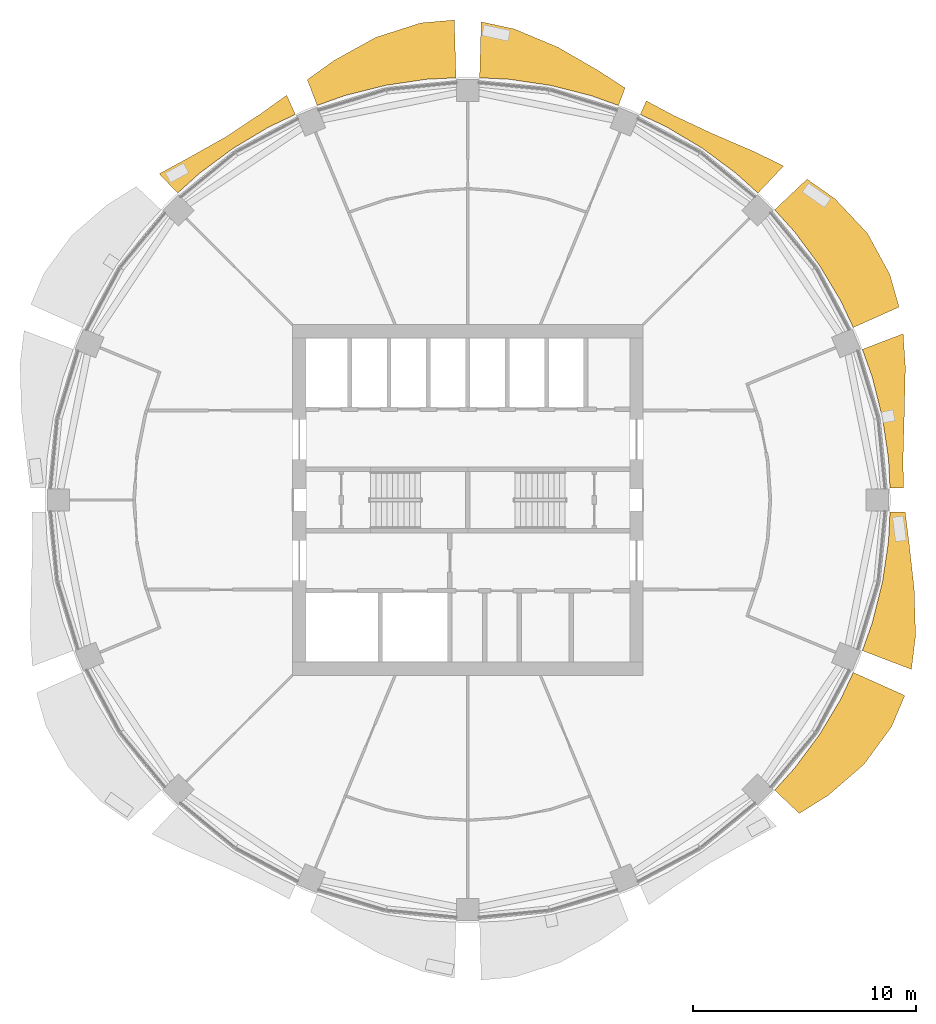
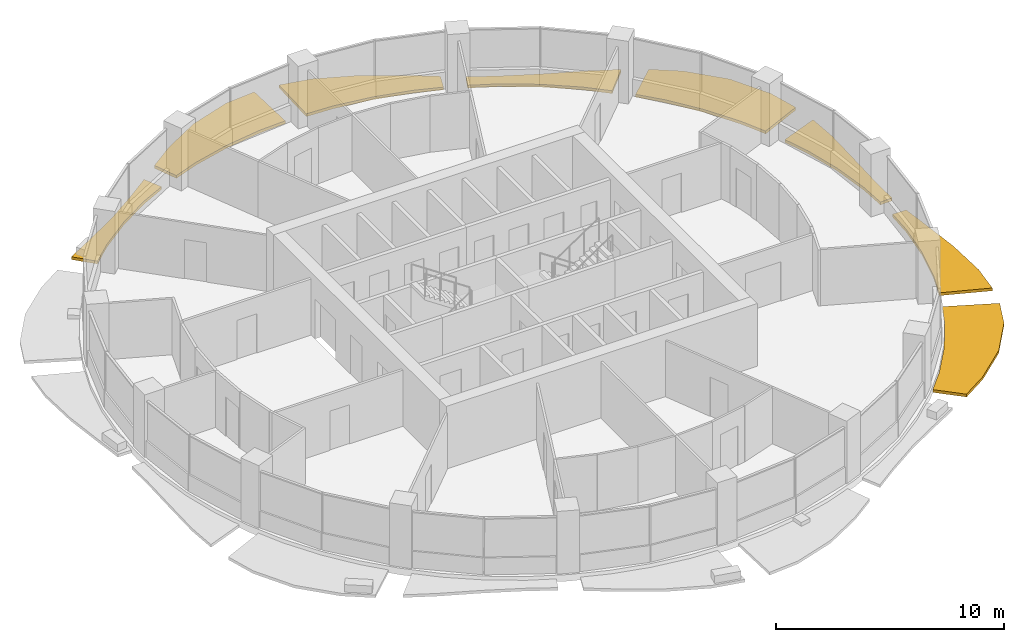
# One storey, part 14 of 15: 8 shading devices.
"""IFC4 building model written with IfcOpenShell, lengths in metres."""

from ifc_helpers import new_model, si_unit, direction, frame, origin, place, context, subcontext, project, spatial, polyline, outline, extrude, material, type_object, element, save


model = new_model("IFC4")

# Units and contexts
model_context = context("Model", 3, precision=1e-05, world=origin(), true_north=direction((0.0, 1.0)))
body_context = subcontext(model_context, "Body", "Model", "MODEL_VIEW")
ifc_project = project(units=[si_unit("LENGTHUNIT", "METRE"), si_unit("AREAUNIT", "SQUARE_METRE"), si_unit("VOLUMEUNIT", "CUBIC_METRE"), si_unit("PLANEANGLEUNIT", "RADIAN"), si_unit("MASSUNIT", "GRAM", prefix="KILO")], contexts=[model_context])

# Site, building, storey
site_placement = place(None, origin())
site = spatial("IfcSite", under=ifc_project, at=site_placement, CompositionType="ELEMENT")
building_placement = place(site_placement, origin())
building = spatial("IfcBuilding", under=site, at=building_placement, Name="Polderwave Tower", CompositionType="ELEMENT")
storey_placement = place(building_placement, frame((0.0, 0.0, 131.0)))
storey = spatial("IfcBuildingStorey", under=building, at=storey_placement, Name="L34", CompositionType="ELEMENT", Elevation=131.0)

# Shading devices
ifc_material = material(Name="Terracotta", Category="masonry")
shading_device_type = type_object("IfcShadingDeviceType", Name="Terracotta sunshade band", PredefinedType="USERDEFINED", material=ifc_material)
shading_device_1_placement = place(storey_placement, frame((0.0, 0.0, -0.35009765625)))
element("IfcShadingDevice", 1, at=shading_device_1_placement, inside=storey, type_object=shading_device_type, Name="Sunshade band L34 1", ObjectType="SUNSHADE", PredefinedType="USERDEFINED", context=body_context, shape_type="SweptSolid", body=[
    extrude(outline(polyline([(18.9541015625, 0.530029296875), (18.888671875, 1.8603515625), (18.615234375, 3.702880859375), (18.16259765625, 5.509521484375), (17.714111328125, 6.763671875), (19.547607421875, 7.4638671875), (19.64599609375, 5.959716796875), (19.599609375, 3.898681640625), (19.543701171875, 1.9248046875), (19.556884765625, 0.546875), (18.9541015625, 0.530029296875)])), origin(), (0.0, 0.0, 1.0), 0.150146484375),
])
shading_device_2_placement = place(storey_placement, frame((0.0, 0.0, -0.35009765625)))
element("IfcShadingDevice", 2, at=shading_device_2_placement, inside=storey, type_object=shading_device_type, Name="Sunshade band L34 2", ObjectType="SUNSHADE", PredefinedType="USERDEFINED", context=body_context, shape_type="SweptSolid", body=[
    extrude(outline(polyline([(17.308349609375, 7.7431640625), (16.739013671875, 8.947021484375), (15.78125, 10.544677734375), (14.671630859375, 12.040771484375), (13.77734375, 13.027587890625), (15.232177734375, 14.4033203125), (16.481689453125, 13.526123046875), (17.93408203125, 11.9833984375), (18.94677734375, 10.127197265625), (19.36181640625, 8.66162109375), (17.308349609375, 7.7431640625)])), origin(), (0.0, 0.0, 1.0), 0.150146484375),
])
shading_device_3_placement = place(storey_placement, frame((0.0, 0.0, -0.35009765625)))
element("IfcShadingDevice", 3, at=shading_device_3_placement, inside=storey, type_object=shading_device_type, Name="Sunshade band L34 3", ObjectType="SUNSHADE", PredefinedType="USERDEFINED", context=body_context, shape_type="SweptSolid", body=[
    extrude(outline(polyline([(13.027587890625, 13.77734375), (12.040771484375, 14.671630859375), (10.544677734375, 15.78125), (8.947021484375, 16.739013671875), (7.7431640625, 17.308349609375), (8.015869140625, 17.918212890625), (9.23046875, 17.26904296875), (10.98779296875, 16.444091796875), (12.842529296875, 15.648681640625), (14.180908203125, 14.996826171875), (13.027587890625, 13.77734375)])), origin(), (0.0, 0.0, 1.0), 0.150146484375),
])
shading_device_4_placement = place(storey_placement, frame((0.0, 0.0, -0.35009765625)))
element("IfcShadingDevice", 4, at=shading_device_4_placement, inside=storey, type_object=shading_device_type, Name="Sunshade band L34 4", ObjectType="SUNSHADE", PredefinedType="USERDEFINED", context=body_context, shape_type="SweptSolid", body=[
    extrude(outline(polyline([(6.763671875, 17.714111328125), (5.509521484375, 18.16259765625), (3.702880859375, 18.615234375), (1.8603515625, 18.888671875), (0.530029296875, 18.9541015625), (0.600341796875, 21.468505859375), (2.0830078125, 21.148681640625), (4.04345703125, 20.32763671875), (5.849609375, 19.283935546875), (7.063232421875, 18.498291015625), (6.763671875, 17.714111328125)])), origin(), (0.0, 0.0, 1.0), 0.150146484375),
])
shading_device_5_placement = place(storey_placement, frame((0.0, 0.0, -0.35009765625)))
element("IfcShadingDevice", 5, at=shading_device_5_placement, inside=storey, type_object=shading_device_type, Name="Sunshade band L34 5", ObjectType="SUNSHADE", PredefinedType="USERDEFINED", context=body_context, shape_type="SweptSolid", body=[
    extrude(outline(polyline([(-0.530029296875, 18.9541015625), (-1.8603515625, 18.888671875), (-3.702880859375, 18.615234375), (-5.509521484375, 18.16259765625), (-6.763671875, 17.714111328125), (-7.205078125, 18.869873046875), (-5.988525390625, 19.74169921875), (-4.13134765625, 20.76953125), (-2.109619140625, 21.418212890625), (-0.6025390625, 21.5498046875), (-0.530029296875, 18.9541015625)])), origin(), (0.0, 0.0, 1.0), 0.150146484375),
])
shading_device_6_placement = place(storey_placement, frame((0.0, 0.0, -0.35009765625)))
element("IfcShadingDevice", 6, at=shading_device_6_placement, inside=storey, type_object=shading_device_type, Name="Sunshade band L34 6", ObjectType="SUNSHADE", PredefinedType="USERDEFINED", context=body_context, shape_type="SweptSolid", body=[
    extrude(outline(polyline([(-7.7431640625, 17.308349609375), (-8.947021484375, 16.739013671875), (-10.544677734375, 15.78125), (-12.040771484375, 14.671630859375), (-13.027587890625, 13.77734375), (-13.8505859375, 14.6474609375), (-12.58544921875, 15.335205078125), (-10.884033203125, 16.2890625), (-9.275390625, 17.35302734375), (-8.131103515625, 18.176025390625), (-7.7431640625, 17.308349609375)])), origin(), (0.0, 0.0, 1.0), 0.150146484375),
])
shading_device_7_placement = place(storey_placement, frame((0.0, 0.0, -0.35009765625)))
element("IfcShadingDevice", 7, at=shading_device_7_placement, inside=storey, type_object=shading_device_type, Name="Sunshade band L34 15", ObjectType="SUNSHADE", PredefinedType="USERDEFINED", context=body_context, shape_type="SweptSolid", body=[
    extrude(outline(polyline([(13.77734375, -13.027587890625), (14.671630859375, -12.040771484375), (15.78125, -10.544677734375), (16.739013671875, -8.947021484375), (17.308349609375, -7.7431640625), (19.619384765625, -8.777099609375), (19.03076171875, -10.172119140625), (17.779052734375, -11.879638671875), (16.168212890625, -13.26904296875), (14.8828125, -14.072998046875), (13.77734375, -13.027587890625)])), origin(), (0.0, 0.0, 1.0), 0.150146484375),
])
shading_device_8_placement = place(storey_placement, frame((0.0, 0.0, -0.35009765625)))
element("IfcShadingDevice", 8, at=shading_device_8_placement, inside=storey, type_object=shading_device_type, Name="Sunshade band L34 16", ObjectType="SUNSHADE", PredefinedType="USERDEFINED", context=body_context, shape_type="SweptSolid", body=[
    extrude(outline(polyline([(17.714111328125, -6.763671875), (18.16259765625, -5.509521484375), (18.615234375, -3.702880859375), (18.888671875, -1.8603515625), (18.9541015625, -0.530029296875), (19.63818359375, -0.54931640625), (19.813232421875, -1.951416015625), (20.04150390625, -3.986572265625), (20.103759765625, -6.098388671875), (19.919189453125, -7.605712890625), (17.714111328125, -6.763671875)])), origin(), (0.0, 0.0, 1.0), 0.150146484375),
])

save(model, "model.ifc")
